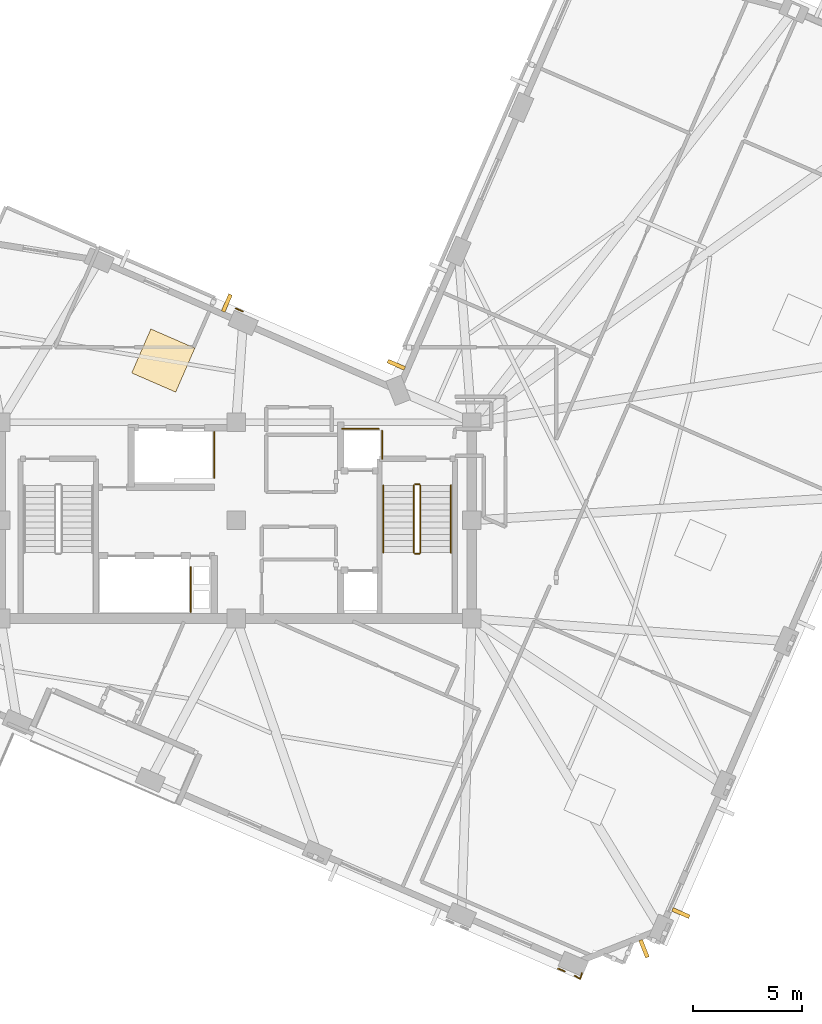
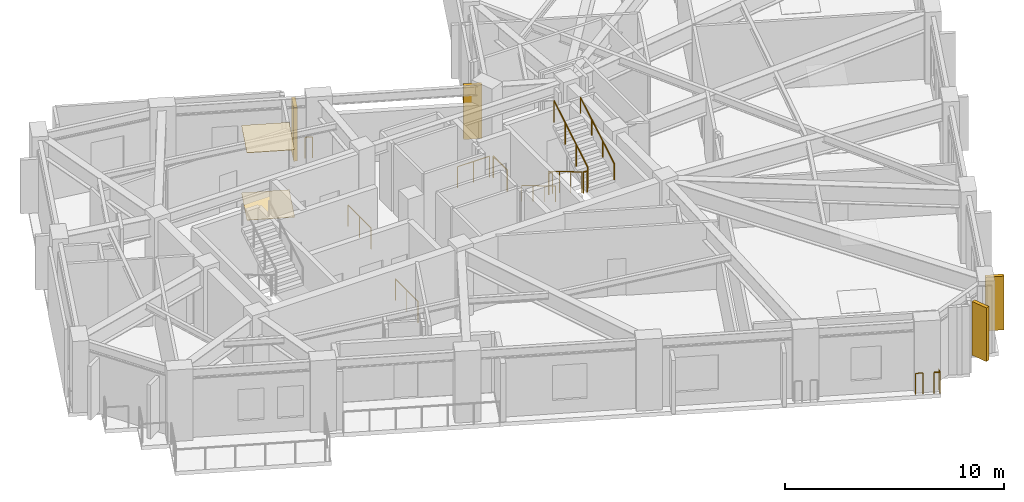
# One storey, part 10 of 12: 13 railings, 4 shading devices, 2 coverings.
"""IFC4 building model written with IfcOpenShell, lengths in metres."""

from ifc_helpers import new_model, si_unit, direction, frame, origin, origin_2d, place, context, subcontext, project, spatial, rectangle, circle, extrude, material, layer, layer_set, type_object, element, save


model = new_model("IFC4")

# Units and contexts
model_context = context("Model", 3, precision=1e-05, world=origin(), true_north=direction((0.0, 1.0)))
body_context = subcontext(model_context, "Body", "Model", "MODEL_VIEW")
ifc_project = project(units=[si_unit("LENGTHUNIT", "METRE"), si_unit("AREAUNIT", "SQUARE_METRE"), si_unit("VOLUMEUNIT", "CUBIC_METRE"), si_unit("PLANEANGLEUNIT", "RADIAN"), si_unit("MASSUNIT", "GRAM", prefix="KILO")], contexts=[model_context])

# Site, building, storey
site_placement = place(None, origin())
site = spatial("IfcSite", under=ifc_project, at=site_placement, CompositionType="ELEMENT")
building_placement = place(site_placement, origin())
building = spatial("IfcBuilding", under=site, at=building_placement, Name="Gaonmaruhae Medical Tower", CompositionType="ELEMENT")
storey_placement = place(building_placement, frame((0.0, 0.0, 316.60009765625)))
storey = spatial("IfcBuildingStorey", under=building, at=storey_placement, Name="L76", CompositionType="ELEMENT", Elevation=316.60009765625)

# Coverings
ifc_material_1 = material(Name="Acoustic mineral ceiling tile", Category="finish")
ifc_layer_1 = layer(ifc_material_1, 0.02490234375)
ifc_layer_set_1 = layer_set([ifc_layer_1], Name="Acoustic mineral ceiling tile")
covering_type_1 = type_object("IfcCoveringType", Name="CLG-01 Antimicrobial Acoustic Mineral Ceiling", PredefinedType="CEILING", material=ifc_layer_set_1)
covering_1_placement = place(storey_placement, frame((21.46142578125, 19.625732421875, 3.7548828125), z_axis=(0.0, 0.0, 1.0), x_axis=(0.398749068925, 0.917060074385, 0.0)))
element("IfcCovering", 1, at=covering_1_placement, inside=storey, type_object=covering_type_1, Name="L76 Clinical Corridor Acoustic Ceiling", PredefinedType="CEILING", context=body_context, shape_type="SweptSolid", body=[
    extrude(rectangle(XDim=2.199951171875, YDim=2.199951171875, at=origin_2d()), origin(), (0.0, 0.0, 1.0), 0.02490234375),
])
ifc_material_2 = material(Name="Seamless clinical vinyl flooring", Category="finish")
ifc_layer_2 = layer(ifc_material_2, 0.014892578125)
ifc_layer_set_2 = layer_set([ifc_layer_2], Name="Seamless clinical vinyl flooring")
covering_type_2 = type_object("IfcCoveringType", Name="FLR-01 Seamless Clinical Antistatic Vinyl Flooring", PredefinedType="FLOORING", material=ifc_layer_set_2)
covering_2_placement = place(storey_placement, frame((21.46142578125, 19.625732421875, 0.00048828125), z_axis=(0.0, 0.0, 1.0), x_axis=(0.398749068925, 0.917060074385, 0.0)))
element("IfcCovering", 2, at=covering_2_placement, inside=storey, type_object=covering_type_2, Name="L76 Clinical Corridor Vinyl Flooring", PredefinedType="FLOORING", context=body_context, shape_type="SweptSolid", body=[
    extrude(rectangle(XDim=2.199951171875, YDim=2.199951171875, at=origin_2d()), origin(), (0.0, 0.0, 1.0), 0.014892578125),
])

# Railings
ifc_material_3 = material(Name="Stainless steel 316L and laminated safety glass", Category="steel")
ifc_layer_3 = layer(ifc_material_3, 0.080078125)
ifc_layer_set_3 = layer_set([ifc_layer_3], Name="Stainless steel 316L and laminated safety glass")
railing_type_1 = type_object("IfcRailingType", Name="GD-120 Outdoor Terrace Safety Glass & Steel Balustrade", PredefinedType="BALUSTRADE", material=ifc_layer_set_3)
railing_1_placement = place(storey_placement, frame((24.79296875, 22.010498046875, 0.0)))
element("IfcRailing", 3, at=railing_1_placement, inside=storey, type_object=railing_type_1, Name="L76 Perimeter Slab Edge Safety Balustrade 03", PredefinedType="BALUSTRADE", context=body_context, shape_type="SweptSolid", body=[
    extrude(circle(Radius=0.02392578125, at=origin_2d()), frame((0.0, 0.0, 1.17578125), z_axis=(0.917081518132, -0.398699748056, 0.0), x_axis=(0.398699748056, 0.917081518132, 0.0)), (0.0, 0.0, 1.0), 0.338623046875),
    extrude(circle(Radius=0.02099609375, at=origin_2d()), origin(), (0.0, 0.0, 1.0), 1.15185546875),
    extrude(circle(Radius=0.02099609375, at=origin_2d()), frame((0.310546875, -0.135009765625, 0.0)), (0.0, 0.0, 1.0), 1.15185546875),
])
railing_2_placement = place(storey_placement, frame((39.870361328125, -8.38232421875, 0.0)))
element("IfcRailing", 4, at=railing_2_placement, inside=storey, type_object=railing_type_1, Name="L76 Perimeter Slab Edge Safety Balustrade 09", PredefinedType="BALUSTRADE", context=body_context, shape_type="SweptSolid", body=[
    extrude(circle(Radius=0.02392578125, at=origin_2d()), frame((0.0, 0.0, 1.17578125), z_axis=(-0.917275651607, 0.3982529083, 0.0), x_axis=(-0.3982529083, -0.917275651607, 0.0)), (0.0, 0.0, 1.0), 0.339599609375),
    extrude(circle(Radius=0.02099609375, at=origin_2d()), origin(), (0.0, 0.0, 1.0), 1.15185546875),
    extrude(circle(Radius=0.02099609375, at=origin_2d()), frame((-0.3115234375, 0.13525390625, 0.0)), (0.0, 0.0, 1.0), 1.15185546875),
])
railing_3_placement = place(storey_placement, frame((40.65625, -8.451416015625, 0.0)))
element("IfcRailing", 5, at=railing_3_placement, inside=storey, type_object=railing_type_1, Name="L76 Perimeter Corner Safety Balustrade 18", PredefinedType="BALUSTRADE", context=body_context, shape_type="SweptSolid", body=[
    extrude(circle(Radius=0.02392578125, at=origin_2d()), frame((0.0, 0.0, 1.17578125), z_axis=(-0.28391467167, -0.958849549831, 0.0), x_axis=(0.958849549831, -0.28391467167, 0.0)), (0.0, 0.0, 1.0), 0.287109375),
    extrude(circle(Radius=0.02392578125, at=origin_2d()), frame((-0.08154296875, -0.275390625, 1.17578125), z_axis=(-0.861518532877, 0.507726124509, 0.0), x_axis=(-0.507726124509, -0.861518532877, 0.0)), (0.0, 0.0, 1.0), 0.287109375),
    extrude(circle(Radius=0.02099609375, at=origin_2d()), origin(), (0.0, 0.0, 1.0), 1.15185546875),
    extrude(circle(Radius=0.02099609375, at=origin_2d()), frame((-0.08154296875, -0.275390625, 0.0)), (0.0, 0.0, 1.0), 1.15185546875),
    extrude(circle(Radius=0.02099609375, at=origin_2d()), frame((-0.328857421875, -0.129638671875, 0.0)), (0.0, 0.0, 1.0), 1.15185546875),
])
ifc_material_4 = material(Name="Stainless steel 304 handrail", Category="steel")
railing_type_2 = type_object("IfcRailingType", Name="HR-092 Continuous Stainless Steel Stair Handrail", PredefinedType="HANDRAIL", material=ifc_material_4)
railing_4_placement = place(storey_placement, frame((31.550048828125, 13.89990234375, 0.16650390625)))
element("IfcRailing", 6, at=railing_4_placement, inside=storey, type_object=railing_type_2, Name="L76 ST-02 stair handrail 1", PredefinedType="HANDRAIL", context=body_context, shape_type="SweptSolid", body=[
    extrude(circle(Radius=0.02392578125, at=origin_2d()), frame((0.0, 0.0, 0.8759765625), z_axis=(0.0, -0.859260807169, 0.511537745687), x_axis=(1.0, 0.0, 0.0)), (0.0, 0.0, 1.0), 3.584228515625),
    extrude(circle(Radius=0.02099609375, at=origin_2d()), origin(), (0.0, 0.0, 1.0), 0.851806640625),
    extrude(circle(Radius=0.02099609375, at=origin_2d()), frame((0.0, -1.026611328125, 0.611083984375)), (0.0, 0.0, 1.0), 0.851806640625),
    extrude(circle(Radius=0.02099609375, at=origin_2d()), frame((0.0, -2.05322265625, 1.222412109375)), (0.0, 0.0, 1.0), 0.851806640625),
    extrude(circle(Radius=0.02099609375, at=origin_2d()), frame((0.0, -3.079833984375, 1.83349609375)), (0.0, 0.0, 1.0), 0.851806640625),
])
railing_5_placement = place(storey_placement, frame((34.64990234375, 10.820068359375, 2.16650390625)))
element("IfcRailing", 7, at=railing_5_placement, inside=storey, type_object=railing_type_2, Name="L76 ST-02 stair handrail 2", PredefinedType="HANDRAIL", context=body_context, shape_type="SweptSolid", body=[
    extrude(circle(Radius=0.02392578125, at=origin_2d()), frame((0.0, 0.0, 0.8759765625), z_axis=(0.0, 0.859260807169, 0.511537745687), x_axis=(-1.0, 0.0, 0.0)), (0.0, 0.0, 1.0), 3.584228515625),
    extrude(circle(Radius=0.02099609375, at=origin_2d()), origin(), (0.0, 0.0, 1.0), 0.851806640625),
    extrude(circle(Radius=0.02099609375, at=origin_2d()), frame((0.0, 1.026611328125, 0.611083984375)), (0.0, 0.0, 1.0), 0.851806640625),
    extrude(circle(Radius=0.02099609375, at=origin_2d()), frame((0.0, 2.05322265625, 1.222412109375)), (0.0, 0.0, 1.0), 0.851806640625),
    extrude(circle(Radius=0.02099609375, at=origin_2d()), frame((0.0, 3.079833984375, 1.83349609375)), (0.0, 0.0, 1.0), 0.851806640625),
])

# Shading devices
ifc_material_5 = material(Name="Pigmented coral precast concrete C45/55", Category="concrete")
shading_device_type = type_object("IfcShadingDeviceType", Name="SD-FIN1 Tower Vertical Coral Precast Shading Fin", PredefinedType="USERDEFINED", material=ifc_material_5)
for number, where, z_axis, x_axis, name in (
    (8, (45.192626953125, -5.705078125, 0.122314453125), (0.0, 0.0, 1.0), (-0.398749068925, -0.917060074385, 0.0), "L76 Vertical Coral Precast Shading Fin S01B"),
    (9, (32.14404296875, 19.432861328125, 0.13232421875), (0.0, 0.0, 1.0), (0.398749068925, 0.917060074385, 0.0), "L76 Vertical Coral Precast Shading Fin EN02"),
    (10, (24.37548828125, 22.2626953125, 0.13232421875), (0.0, 0.0, 1.0), (0.917060074385, -0.398749068925, 0.0), "L76 Vertical Coral Precast Shading Fin NE01B"),
    (11, (43.500244140625, -7.33935546875, 0.13232421875), (0.0, 0.0, 1.0), (-0.930411171187, -0.366517465518, 0.0), "L76 Vertical Coral Precast Shading Fin W06"),
):
    element("IfcShadingDevice", number, at=place(storey_placement, frame(where, z_axis=z_axis, x_axis=x_axis)), inside=storey, type_object=shading_device_type, Name=name, ObjectType="FIN", PredefinedType="USERDEFINED", context=body_context, shape_type="SweptSolid", body=[
        extrude(rectangle(XDim=0.179931640625, YDim=0.85009765625, at=origin_2d()), origin(), (0.0, 0.0, 1.0), 3.0),
    ])

# Railings
ifc_material_6 = material(Name="Stainless steel 304 balustrade", Category="steel")
railing_type_3 = type_object("IfcRailingType", Name="SG-112 Stair Well & Ramp Void Safety Balustrade", PredefinedType="BALUSTRADE", material=ifc_material_6)
railing_6_placement = place(storey_placement, frame((32.949951171875, 13.89990234375, 0.16650390625)))
element("IfcRailing", 12, at=railing_6_placement, inside=storey, type_object=railing_type_3, Name="L76 ST-02 stair guard 1", PredefinedType="BALUSTRADE", context=body_context, shape_type="SweptSolid", body=[
    extrude(circle(Radius=0.02392578125, at=origin_2d()), frame((0.0, 0.0, 1.17578125), z_axis=(0.0, -0.859260807169, 0.511537745687), x_axis=(1.0, 0.0, 0.0)), (0.0, 0.0, 1.0), 3.584228515625),
    extrude(circle(Radius=0.02099609375, at=origin_2d()), origin(), (0.0, 0.0, 1.0), 1.15185546875),
    extrude(circle(Radius=0.02099609375, at=origin_2d()), frame((0.0, -1.026611328125, 0.611083984375)), (0.0, 0.0, 1.0), 1.15185546875),
    extrude(circle(Radius=0.02099609375, at=origin_2d()), frame((0.0, -2.05322265625, 1.222412109375)), (0.0, 0.0, 1.0), 1.15185546875),
    extrude(circle(Radius=0.02099609375, at=origin_2d()), frame((0.0, -3.079833984375, 1.83349609375)), (0.0, 0.0, 1.0), 1.15185546875),
])
railing_7_placement = place(storey_placement, frame((33.0, 10.77001953125, 2.0)))
element("IfcRailing", 13, at=railing_7_placement, inside=storey, type_object=railing_type_3, Name="L76 ST-02 stair guard 2", PredefinedType="BALUSTRADE", context=body_context, shape_type="SweptSolid", body=[
    extrude(circle(Radius=0.02392578125, at=origin_2d()), frame((0.0, 0.0, 1.17578125), z_axis=(1.0, 0.0, 0.0), x_axis=(0.0, 1.0, 0.0)), (0.0, 0.0, 1.0), 0.199951171875),
    extrude(circle(Radius=0.02099609375, at=origin_2d()), origin(), (0.0, 0.0, 1.0), 1.15185546875),
    extrude(circle(Radius=0.02099609375, at=origin_2d()), frame((0.199951171875, 0.0, 0.0)), (0.0, 0.0, 1.0), 1.15185546875),
])
railing_8_placement = place(storey_placement, frame((33.25, 10.820068359375, 2.16650390625)))
element("IfcRailing", 14, at=railing_8_placement, inside=storey, type_object=railing_type_3, Name="L76 ST-02 stair guard 3", PredefinedType="BALUSTRADE", context=body_context, shape_type="SweptSolid", body=[
    extrude(circle(Radius=0.02392578125, at=origin_2d()), frame((0.0, 0.0, 1.17578125), z_axis=(0.0, 0.859260807169, 0.511537745687), x_axis=(-1.0, 0.0, 0.0)), (0.0, 0.0, 1.0), 3.584228515625),
    extrude(circle(Radius=0.02099609375, at=origin_2d()), origin(), (0.0, 0.0, 1.0), 1.15185546875),
    extrude(circle(Radius=0.02099609375, at=origin_2d()), frame((0.0, 1.026611328125, 0.611083984375)), (0.0, 0.0, 1.0), 1.15185546875),
    extrude(circle(Radius=0.02099609375, at=origin_2d()), frame((0.0, 2.05322265625, 1.222412109375)), (0.0, 0.0, 1.0), 1.15185546875),
    extrude(circle(Radius=0.02099609375, at=origin_2d()), frame((0.0, 3.079833984375, 1.83349609375)), (0.0, 0.0, 1.0), 1.15185546875),
])
railing_9_placement = place(storey_placement, frame((33.0, 13.949951171875, 0.0)))
element("IfcRailing", 15, at=railing_9_placement, inside=storey, type_object=railing_type_3, Name="L76 ST-02 stair guard 4", PredefinedType="BALUSTRADE", context=body_context, shape_type="SweptSolid", body=[
    extrude(circle(Radius=0.02392578125, at=origin_2d()), frame((0.0, 0.0, 1.17578125), z_axis=(1.0, 0.0, 0.0), x_axis=(0.0, 1.0, 0.0)), (0.0, 0.0, 1.0), 0.199951171875),
    extrude(circle(Radius=0.02099609375, at=origin_2d()), origin(), (0.0, 0.0, 1.0), 1.15185546875),
    extrude(circle(Radius=0.02099609375, at=origin_2d()), frame((0.199951171875, 0.0, 0.0)), (0.0, 0.0, 1.0), 1.15185546875),
])
railing_10_placement = place(storey_placement, frame((22.719970703125, 10.159912109375, 0.0)))
element("IfcRailing", 16, at=railing_10_placement, inside=storey, type_object=railing_type_3, Name="L76 Shaft Edge Safety Guard 19", PredefinedType="BALUSTRADE", context=body_context, shape_type="SweptSolid", body=[
    extrude(circle(Radius=0.02392578125, at=origin_2d()), frame((0.0, 0.0, 1.17578125), z_axis=(0.0, -1.0, 0.0), x_axis=(1.0, 0.0, 0.0)), (0.0, 0.0, 1.0), 2.06494140625),
    extrude(circle(Radius=0.02099609375, at=origin_2d()), origin(), (0.0, 0.0, 1.0), 1.15185546875),
    extrude(circle(Radius=0.02099609375, at=origin_2d()), frame((0.0, -1.032470703125, 0.0)), (0.0, 0.0, 1.0), 1.15185546875),
    extrude(circle(Radius=0.02099609375, at=origin_2d()), frame((0.0, -2.06494140625, 0.0)), (0.0, 0.0, 1.0), 1.15185546875),
])
railing_11_placement = place(storey_placement, frame((23.794921875, 16.35498046875, 0.0)))
element("IfcRailing", 17, at=railing_11_placement, inside=storey, type_object=railing_type_3, Name="L76 Shaft Edge Safety Guard 20", PredefinedType="BALUSTRADE", context=body_context, shape_type="SweptSolid", body=[
    extrude(circle(Radius=0.02392578125, at=origin_2d()), frame((0.0, 0.0, 1.17578125), z_axis=(0.0, -1.0, 0.0), x_axis=(1.0, 0.0, 0.0)), (0.0, 0.0, 1.0), 2.10986328125),
    extrude(circle(Radius=0.02099609375, at=origin_2d()), origin(), (0.0, 0.0, 1.0), 1.15185546875),
    extrude(circle(Radius=0.02099609375, at=origin_2d()), frame((0.0, -1.054931640625, 0.0)), (0.0, 0.0, 1.0), 1.15185546875),
    extrude(circle(Radius=0.02099609375, at=origin_2d()), frame((0.0, -2.10986328125, 0.0)), (0.0, 0.0, 1.0), 1.15185546875),
])
railing_12_placement = place(storey_placement, frame((31.4951171875, 16.405029296875, 0.0)))
element("IfcRailing", 18, at=railing_12_placement, inside=storey, type_object=railing_type_3, Name="L76 Shaft Edge Safety Guard 21", PredefinedType="BALUSTRADE", context=body_context, shape_type="SweptSolid", body=[
    extrude(circle(Radius=0.02392578125, at=origin_2d()), frame((0.0, 0.0, 1.17578125), z_axis=(0.0, -1.0, 0.0), x_axis=(1.0, 0.0, 0.0)), (0.0, 0.0, 1.0), 1.284912109375),
    extrude(circle(Radius=0.02099609375, at=origin_2d()), origin(), (0.0, 0.0, 1.0), 1.15185546875),
    extrude(circle(Radius=0.02099609375, at=origin_2d()), frame((0.0, -1.284912109375, 0.0)), (0.0, 0.0, 1.0), 1.15185546875),
])
railing_13_placement = place(storey_placement, frame((29.6630859375, 16.4951171875, 0.0)))
element("IfcRailing", 19, at=railing_13_placement, inside=storey, type_object=railing_type_3, Name="L76 Shaft Edge Safety Guard 22", PredefinedType="BALUSTRADE", context=body_context, shape_type="SweptSolid", body=[
    extrude(circle(Radius=0.02392578125, at=origin_2d()), frame((0.0, 0.0, 1.17578125), z_axis=(1.0, 0.0, 0.0), x_axis=(0.0, 1.0, 0.0)), (0.0, 0.0, 1.0), 1.673828125),
    extrude(circle(Radius=0.02099609375, at=origin_2d()), origin(), (0.0, 0.0, 1.0), 1.15185546875),
    extrude(circle(Radius=0.02099609375, at=origin_2d()), frame((0.8369140625, 0.0, 0.0)), (0.0, 0.0, 1.0), 1.15185546875),
    extrude(circle(Radius=0.02099609375, at=origin_2d()), frame((1.673828125, 0.0, 0.0)), (0.0, 0.0, 1.0), 1.15185546875),
])

save(model, "model.ifc")
